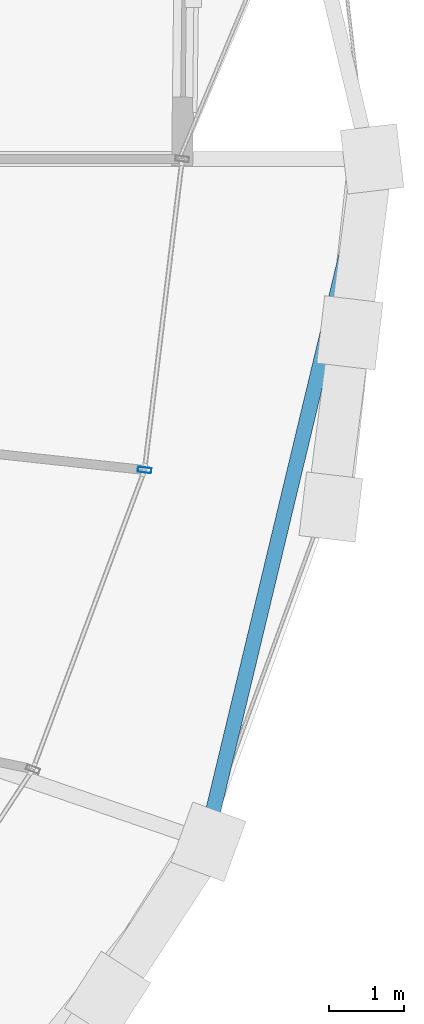
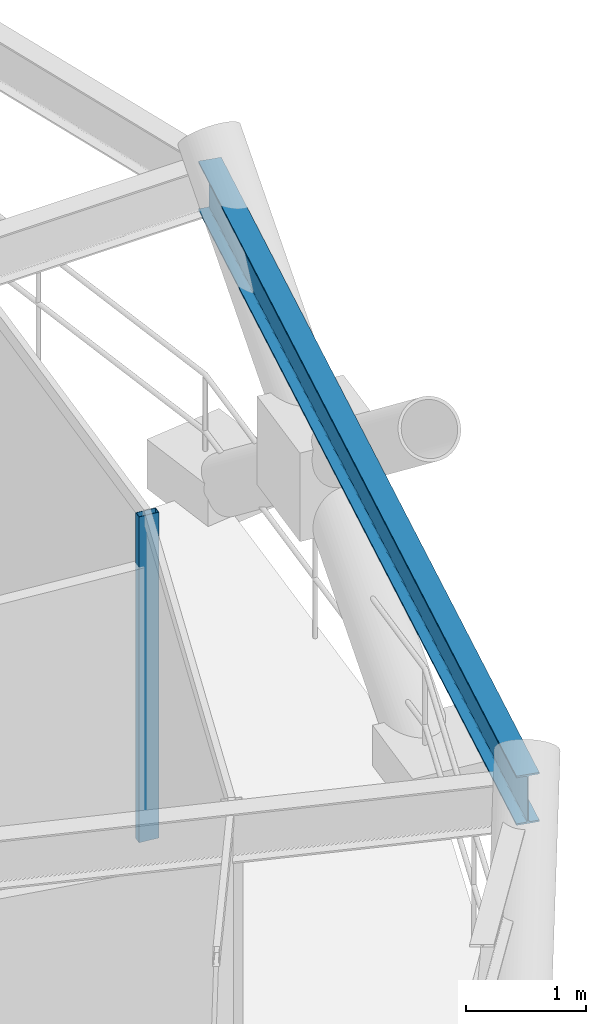
# One storey, part 8 of 20: 1 beam, 1 member, 1 element without a shape of its own.
"""IFC4 building model written with IfcOpenShell, lengths in metres."""

from ifc_helpers import new_model, si_unit, direction, frame, origin, origin_2d, place, context, subcontext, project, spatial, hollow_rectangle, i_section, extrude, material, layer, layer_set, material_profile, profile_set, type_object, element, aggregate, save


model = new_model("IFC4")

# Units and contexts
model_context = context("Model", 3, precision=1e-05, world=origin(), true_north=direction((0.0, 1.0)))
body_context = subcontext(model_context, "Body", "Model", "MODEL_VIEW")
ifc_project = project(units=[si_unit("LENGTHUNIT", "METRE"), si_unit("AREAUNIT", "SQUARE_METRE"), si_unit("VOLUMEUNIT", "CUBIC_METRE"), si_unit("PLANEANGLEUNIT", "RADIAN"), si_unit("MASSUNIT", "GRAM", prefix="KILO")], contexts=[model_context])

# Site, building, storey
site_placement = place(None, origin())
site = spatial("IfcSite", under=ifc_project, at=site_placement, CompositionType="ELEMENT")
building_placement = place(site_placement, origin())
building = spatial("IfcBuilding", under=site, at=building_placement, Name="Veldorina Hangang Commons", CompositionType="ELEMENT")
storey_placement = place(building_placement, frame((0.0, 0.0, 131.60009765625)))
storey = spatial("IfcBuildingStorey", under=building, at=storey_placement, Name="L33", CompositionType="ELEMENT", Elevation=131.60009765625)

# Beam
ifc_material_1 = material(Name="Steel SM420-TMC", Category="steel")
ifc_material_profile_1 = material_profile(ifc_material_1, i_section(OverallWidth=0.199951171875, OverallDepth=0.5, WebThickness=0.010009765625, FlangeThickness=0.01611328125, FilletRadius=0.01611328125, at=origin_2d()), Name="H-500x200x10x16")
ifc_profile_set_1 = profile_set([ifc_material_profile_1], Name="Steel SM420-TMC")
beam_type = type_object("IfcBeamType", Name="BM-RB500", PredefinedType="BEAM", material=ifc_profile_set_1)
beam_placement = place(storey_placement, frame((58.337158203125, 14.947509765625, 3.099853515625), z_axis=(0.23310115585, 0.972452493, 0.0), x_axis=(-0.972452493, 0.23310115585, 0.0)))
element("IfcBeam", 1, at=beam_placement, inside=storey, type_object=beam_type, Name="L33 perimeter hoop ring beam 30", PredefinedType="BEAM", context=body_context, shape_type="SweptSolid", body=[
    extrude(i_section(OverallWidth=0.199951171875, OverallDepth=0.5, WebThickness=0.010009765625, FlangeThickness=0.01611328125, FilletRadius=0.01611328125, at=origin_2d()), origin(), (0.0, 0.0, 1.0), 9.308837890625),
])

# Curtain wall, member
ifc_material_2 = material(Name="Glass Low-E Triple IGU", Category="glass")
ifc_layer = layer(ifc_material_2, 0.179931640625)
ifc_layer_set = layer_set([ifc_layer], Name="Glass Low-E Triple IGU")
curtain_wall_type = type_object("IfcCurtainWallType", Name="CW-SYS-Z2", PredefinedType="NOTDEFINED", material=ifc_layer_set)
curtain_wall_placement = place(storey_placement, origin())
curtain_wall = element("IfcCurtainWall", 2, at=curtain_wall_placement, inside=storey, type_object=curtain_wall_type, Name="L33 unitised curtain wall CW-L33-R2", PredefinedType="NOTDEFINED")
ifc_material_3 = material(Name="Aluminium Anodized AA6063-T6", Category="aluminium")
ifc_material_profile_2 = material_profile(ifc_material_3, hollow_rectangle(XDim=0.070068359375, YDim=0.179931640625, WallThickness=0.00390625, at=origin_2d()), Name="ALU-RHS-180x70x4")
ifc_profile_set_2 = profile_set([ifc_material_profile_2], Name="Aluminium Anodized AA6063-T6")
member_type = type_object("IfcMemberType", Name="CW-MUL-180", PredefinedType="MULLION", material=ifc_profile_set_2)
member_placement = place(storey_placement, frame((57.523681640625, 19.871826171875, 0.0), z_axis=(0.0, 0.0, 1.0), x_axis=(0.120240799481, 0.992744755786, 0.0)))
member = element("IfcMember", 3, at=member_placement, type_object=member_type, Name="CW-L33-R2 vertical mullion 4", PredefinedType="MULLION", context=body_context, shape_type="SweptSolid", body=[
    extrude(hollow_rectangle(XDim=0.070068359375, YDim=0.179931640625, WallThickness=0.00390625, at=origin_2d()), origin(), (0.0, 0.0, 1.0), 3.309814453125),
])
aggregate(curtain_wall, [member])

save(model, "model.ifc")
